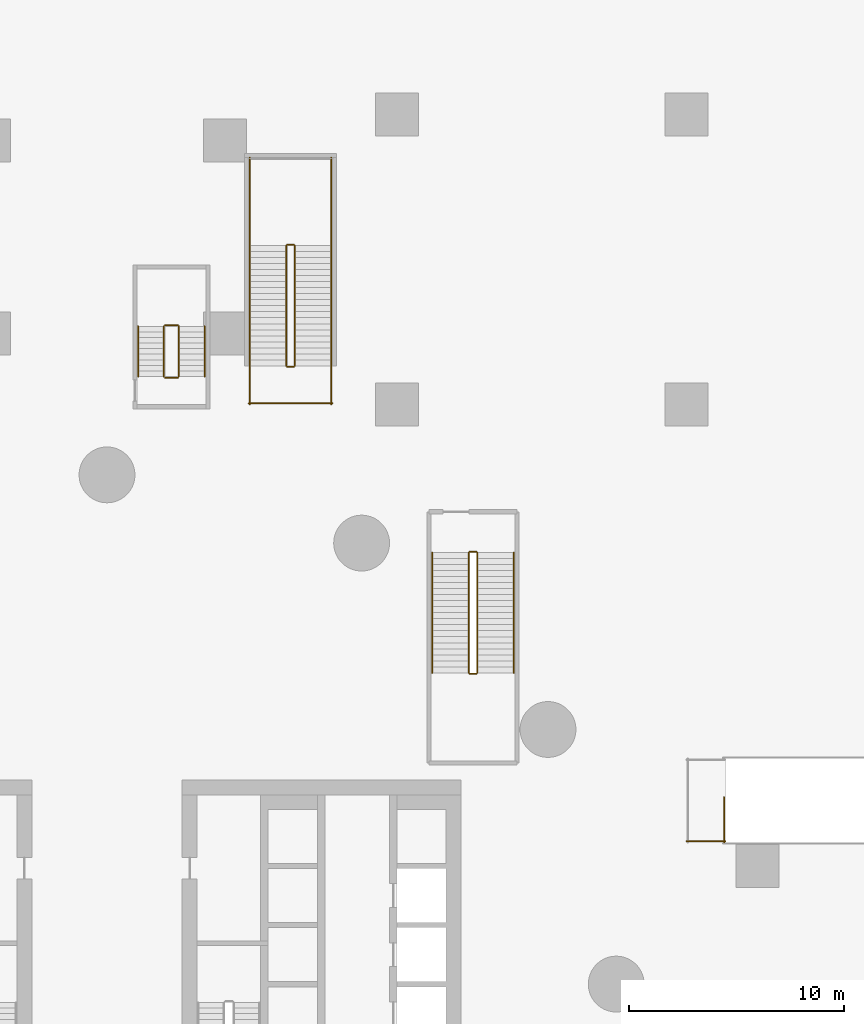
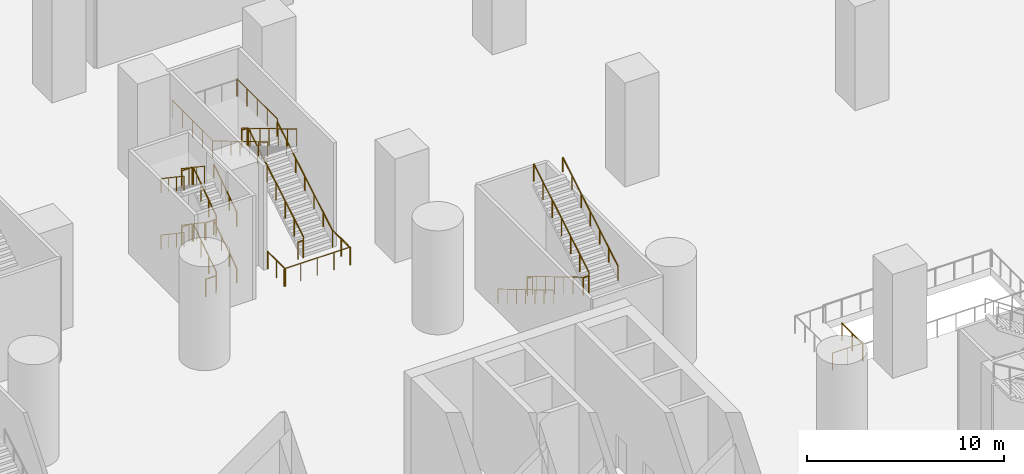
# One storey, part 32 of 37: 31 railings.
"""IFC4 building model written with IfcOpenShell, lengths in metres."""

import ifcopenshell
import ifcopenshell.guid

model = None  # the IFC model being written
_history = None  # IfcOwnerHistory: only IFC2X3 demands one
_inside = {}  # id of a spatial element -> (the spatial element, [elements in it])
_under = {}  # id of a project, library or spatial element -> (it, [spatial elements below it])
_declared = {}  # id of a project -> (the project, [libraries it declares])
_typed = {}  # id of a type object -> (the type object, [elements of that type])
_made_of = {}  # id of a material, layer set ... -> (it, [elements and type objects made of it])


def new_model(schema):
    """Start an empty IFC model of exactly this schema.

    Asked for "IFC4X3", IfcOpenShell would pick the latest addendum, in which some entities
    have other attributes; the version numbers below select the first issue.
    IFC2X3 requires an IfcOwnerHistory on every rooted entity: one is made here for all.
    """
    global model, _history
    if schema == "IFC4X3":
        model = ifcopenshell.file(schema_version=(4, 3, 0, 0))
    else:
        model = ifcopenshell.file(schema=schema)
    _inside.clear()
    _under.clear()
    _declared.clear()
    _typed.clear()
    _made_of.clear()
    _history = None
    if model.schema == "IFC2X3":
        org = make("IfcOrganization", Name="unknown")
        user = make(
            "IfcPersonAndOrganization",
            ThePerson=make("IfcPerson", FamilyName="unknown"),
            TheOrganization=org,
        )
        app = make(
            "IfcApplication",
            ApplicationDeveloper=org,
            Version="unknown",
            ApplicationFullName="unknown",
            ApplicationIdentifier="unknown",
        )
        _history = make(
            "IfcOwnerHistory",
            OwningUser=user,
            OwningApplication=app,
            ChangeAction="ADDED",
            CreationDate=0,
        )
    return model


def make(cls, **values):
    """One entity of the class cls with the attributes given. An attribute that is None is left unset."""
    return model.create_entity(
        cls, **{name: value for name, value in values.items() if value is not None}
    )


def rooted(cls, **values):
    """An entity with a GlobalId (a new one), such as an element, a storey or a relation."""
    return make(cls, GlobalId=ifcopenshell.guid.new(), OwnerHistory=_history, **values)


def si_unit(unit_type, name, prefix=None):
    """IfcSIUnit, for example si_unit("LENGTHUNIT", "METRE", prefix="MILLI")."""
    return make("IfcSIUnit", UnitType=unit_type, Prefix=prefix, Name=name)


def assignment(units):
    """IfcUnitAssignment: the units of a project."""
    return None if units is None else make("IfcUnitAssignment", Units=units)


def point(xyz):
    """IfcCartesianPoint."""
    return None if xyz is None else make("IfcCartesianPoint", Coordinates=xyz)


def direction(xyz):
    """IfcDirection."""
    return None if xyz is None else make("IfcDirection", DirectionRatios=xyz)


def frame(location, z_axis=None, x_axis=None):
    """IfcAxis2Placement3D, a coordinate frame: its origin and axes. An axis left out is left unset."""
    return make(
        "IfcAxis2Placement3D",
        Location=point(location),
        Axis=direction(z_axis),
        RefDirection=direction(x_axis),
    )


def frame_2d(location, x_axis=None):
    """IfcAxis2Placement2D, a coordinate frame in the plane: its origin and x axis."""
    return make(
        "IfcAxis2Placement2D", Location=point(location), RefDirection=direction(x_axis)
    )


def origin():
    """The frame at (0, 0, 0) with its axes left unset."""
    return frame((0.0, 0.0, 0.0))


def origin_2d():
    """The frame at (0, 0) in the plane with its x axis left unset."""
    return frame_2d((0.0, 0.0))


def place(relative_to, where):
    """IfcLocalPlacement: puts the frame where relative to a parent placement (None: the world)."""
    return make(
        "IfcLocalPlacement", PlacementRelTo=relative_to, RelativePlacement=where
    )


def context(
    kind, dimensions, precision=None, world=None, true_north=None, identifier=None
):
    """IfcGeometricRepresentationContext, for example the 3D "Model" context."""
    return make(
        "IfcGeometricRepresentationContext",
        ContextIdentifier=identifier,
        ContextType=kind,
        CoordinateSpaceDimension=dimensions,
        Precision=precision,
        WorldCoordinateSystem=world,
        TrueNorth=true_north,
    )


def subcontext(parent, identifier, kind, view, scale=None):
    """IfcGeometricRepresentationSubContext, for example "Body" below "Model"."""
    return make(
        "IfcGeometricRepresentationSubContext",
        ContextIdentifier=identifier,
        ContextType=kind,
        ParentContext=parent,
        TargetScale=scale,
        TargetView=view,
    )


def project(units=None, contexts=None):
    """IfcProject with its units and contexts."""
    return rooted(
        "IfcProject",
        Name="project",
        RepresentationContexts=contexts,
        UnitsInContext=assignment(units),
    )


def spatial(cls, under=None, at=None, **own):
    """A site, building, storey or space (cls), placed at a placement, below another one or the project."""
    s = rooted(cls, ObjectPlacement=at, **own)
    if under is not None:
        _under.setdefault(under.id(), (under, []))[1].append(s)
    return s


def profile(cls, at=None, kind="AREA", **sizes):
    """A parametric profile (cls). Its sizes go by their IFC names, for example OverallWidth=200.0."""
    return make(cls, ProfileType=kind, Position=at, **sizes)


def circle(**sizes):
    """IfcCircleProfileDef."""
    return profile("IfcCircleProfileDef", **sizes)


def extrude(swept, where, along, depth):
    """IfcExtrudedAreaSolid: the profile swept, set in the frame where, extruded along a direction by depth."""
    return make(
        "IfcExtrudedAreaSolid",
        SweptArea=swept,
        Position=where,
        ExtrudedDirection=direction(along),
        Depth=depth,
    )


def shape(context_of_items, identifier, shape_type, items):
    """IfcShapeRepresentation: the items that make up one representation, for example the "Body"."""
    return make(
        "IfcShapeRepresentation",
        ContextOfItems=context_of_items,
        RepresentationIdentifier=identifier,
        RepresentationType=shape_type,
        Items=items,
    )


def material(Name=None, Category=None):
    """IfcMaterial."""
    return make("IfcMaterial", Name=Name, Category=Category)


def made_of(thing, what):
    """Note that an element or type object is made of a material, layer set ...; save() writes the relation."""
    if what is not None:
        _made_of.setdefault(what.id(), (what, []))[1].append(thing)
    return thing


def type_object(cls, material=None, **own):
    """A type object (cls), such as IfcWallType, which elements share."""
    return made_of(rooted(cls, **own), material)


def element(
    cls,
    number,
    at=None,
    inside=None,
    cuts=None,
    type_object=None,
    material=None,
    context=None,
    identifier="Body",
    shape_type=None,
    held_by="IfcProductDefinitionShape",
    body=None,
    shapes=None,
    **own,
):
    """One element of the class cls, such as IfcWall. Its Tag is "e" and its number.

    at: its placement. inside: the storey or other place that contains it. cuts: it is an
    opening in that element (IfcRelVoidsElement). A single representation is given by context,
    identifier, shape_type and body (its items); several are given by shapes. held_by: the class
    of the entity that holds the representations. save() writes the other relations.
    """
    e = rooted(cls, Tag="e%d" % number, ObjectPlacement=at, **own)
    if body is not None:
        shapes = [shape(context, identifier, shape_type, body)]
    if shapes is not None:
        e.Representation = make(held_by, Representations=shapes)
    if inside is not None:
        _inside.setdefault(inside.id(), (inside, []))[1].append(e)
    if cuts is not None:
        rooted(
            "IfcRelVoidsElement", RelatingBuildingElement=cuts, RelatedOpeningElement=e
        )
    if type_object is not None:
        _typed.setdefault(type_object.id(), (type_object, []))[1].append(e)
    return made_of(e, material)


def aggregate(whole, parts):
    """IfcRelAggregates: a whole, such as a stair, and the parts it consists of."""
    return rooted("IfcRelAggregates", RelatingObject=whole, RelatedObjects=parts)


def save(model, path):
    """Write the relations noted so far, then the file.

    IfcRelAggregates (storeys below a building ...), IfcRelContainedInSpatialStructure (elements
    in a storey), IfcRelDefinesByType, IfcRelAssociatesMaterial and IfcRelDeclares: one each for
    every whole, place, type object, material and project.
    """
    for whole, parts in _under.values():
        aggregate(whole, parts)
    for where, things in _inside.values():
        rooted(
            "IfcRelContainedInSpatialStructure",
            RelatedElements=things,
            RelatingStructure=where,
        )
    for kind, things in _typed.values():
        rooted("IfcRelDefinesByType", RelatedObjects=things, RelatingType=kind)
    for what, things in _made_of.values():
        rooted("IfcRelAssociatesMaterial", RelatedObjects=things, RelatingMaterial=what)
    for by, libraries in _declared.values():
        rooted("IfcRelDeclares", RelatingContext=by, RelatedDefinitions=libraries)
    model.write(path)


model = new_model("IFC4")

# Units and contexts
model_context = context("Model", 3, precision=1e-05, world=origin(), true_north=direction((0.0, 1.0)))
body_context = subcontext(model_context, "Body", "Model", "MODEL_VIEW")
ifc_project = project(units=[si_unit("LENGTHUNIT", "METRE"), si_unit("AREAUNIT", "SQUARE_METRE"), si_unit("VOLUMEUNIT", "CUBIC_METRE"), si_unit("PLANEANGLEUNIT", "RADIAN"), si_unit("MASSUNIT", "GRAM", prefix="KILO")], contexts=[model_context])

# Site, building, storey
site_placement = place(None, origin())
site = spatial("IfcSite", under=ifc_project, at=site_placement, CompositionType="ELEMENT")
building_placement = place(site_placement, origin())
building = spatial("IfcBuilding", under=site, at=building_placement, Name="Tamarind Cross Interchange Tower", CompositionType="ELEMENT")
storey_placement = place(building_placement, frame((0.0, 0.0, -7.0)))
storey = spatial("IfcBuildingStorey", under=building, at=storey_placement, Name="B1", CompositionType="ELEMENT", Elevation=-7.0)

# Railings
ifc_material_1 = material(Name="Public stair guard")
railing_type_1 = type_object("IfcRailingType", Name="Public stair guard", PredefinedType="GUARDRAIL", material=ifc_material_1)
railing_1_placement = place(storey_placement, frame((8.75, 28.800048828125, 0.166748046875)))
element("IfcRailing", 1, at=railing_1_placement, inside=storey, type_object=railing_type_1, Name="B1 PS-N stair guard 1", PredefinedType="GUARDRAIL", context=body_context, shape_type="SweptSolid", body=[
    extrude(circle(Radius=0.02392578125, at=origin_2d()), frame((0.0, 0.0, 1.076171875), z_axis=(0.0, 0.859292492371, 0.511484518392), x_axis=(-1.0, 0.0, 0.0)), (0.0, 0.0, 1.0), 6.516845703125),
    extrude(circle(Radius=0.02099609375, at=origin_2d()), origin(), (0.0, 0.0, 1.0), 1.052001953125),
    extrude(circle(Radius=0.02099609375, at=origin_2d()), frame((0.0, 0.933349609375, 0.5556640625)), (0.0, 0.0, 1.0), 1.052001953125),
    extrude(circle(Radius=0.02099609375, at=origin_2d()), frame((0.0, 1.86669921875, 1.111083984375)), (0.0, 0.0, 1.0), 1.052001953125),
    extrude(circle(Radius=0.02099609375, at=origin_2d()), frame((0.0, 2.7998046875, 1.66650390625)), (0.0, 0.0, 1.0), 1.052001953125),
    extrude(circle(Radius=0.02099609375, at=origin_2d()), frame((0.0, 3.733154296875, 2.22216796875)), (0.0, 0.0, 1.0), 1.052001953125),
    extrude(circle(Radius=0.02099609375, at=origin_2d()), frame((0.0, 4.66650390625, 2.77783203125)), (0.0, 0.0, 1.0), 1.052001953125),
    extrude(circle(Radius=0.02099609375, at=origin_2d()), frame((0.0, 5.599853515625, 3.333251953125)), (0.0, 0.0, 1.0), 1.052001953125),
])
railing_2_placement = place(storey_placement, frame((8.699951171875, 34.449951171875, 3.5)))
element("IfcRailing", 2, at=railing_2_placement, inside=storey, type_object=railing_type_1, Name="B1 PS-N stair guard 2", PredefinedType="GUARDRAIL", context=body_context, shape_type="SweptSolid", body=[
    extrude(circle(Radius=0.02392578125, at=origin_2d()), frame((0.0, 0.0, 1.076171875), z_axis=(-1.0, 0.0, 0.0), x_axis=(0.0, -1.0, 0.0)), (0.0, 0.0, 1.0), 0.300048828125),
    extrude(circle(Radius=0.02099609375, at=origin_2d()), origin(), (0.0, 0.0, 1.0), 1.052001953125),
    extrude(circle(Radius=0.02099609375, at=origin_2d()), frame((-0.300048828125, 0.0, 0.0)), (0.0, 0.0, 1.0), 1.052001953125),
])
for number, where, name in (
    (3, (10.449951171875, 34.39990234375, 3.5), "B1 PS-N stair guard 3"),
    (4, (6.64990234375, 34.39990234375, 3.5), "B1 PS-N stair guard 4"),
):
    element("IfcRailing", number, at=place(storey_placement, frame(where)), inside=storey, type_object=railing_type_1, Name=name, PredefinedType="GUARDRAIL", context=body_context, shape_type="SweptSolid", body=[
        extrude(circle(Radius=0.02392578125, at=origin_2d()), frame((0.0, 0.0, 1.076171875), z_axis=(0.0, 1.0, 0.0), x_axis=(-1.0, 0.0, 0.0)), (0.0, 0.0, 1.0), 4.10009765625),
        extrude(circle(Radius=0.02099609375, at=origin_2d()), origin(), (0.0, 0.0, 1.0), 1.052001953125),
        extrude(circle(Radius=0.02099609375, at=origin_2d()), frame((0.0, 1.02490234375, 0.0)), (0.0, 0.0, 1.0), 1.052001953125),
        extrude(circle(Radius=0.02099609375, at=origin_2d()), frame((0.0, 2.050048828125, 0.0)), (0.0, 0.0, 1.0), 1.052001953125),
        extrude(circle(Radius=0.02099609375, at=origin_2d()), frame((0.0, 3.0751953125, 0.0)), (0.0, 0.0, 1.0), 1.052001953125),
        extrude(circle(Radius=0.02099609375, at=origin_2d()), frame((0.0, 4.10009765625, 0.0)), (0.0, 0.0, 1.0), 1.052001953125),
    ])
railing_3_placement = place(storey_placement, frame((8.35009765625, 34.39990234375, 3.666748046875)))
element("IfcRailing", 5, at=railing_3_placement, inside=storey, type_object=railing_type_1, Name="B1 PS-N stair guard 6", PredefinedType="GUARDRAIL", context=body_context, shape_type="SweptSolid", body=[
    extrude(circle(Radius=0.02392578125, at=origin_2d()), frame((0.0, 0.0, 1.076171875), z_axis=(0.0, -0.859292492371, 0.511484518392), x_axis=(1.0, 0.0, 0.0)), (0.0, 0.0, 1.0), 6.516845703125),
    extrude(circle(Radius=0.02099609375, at=origin_2d()), origin(), (0.0, 0.0, 1.0), 1.052001953125),
    extrude(circle(Radius=0.02099609375, at=origin_2d()), frame((0.0, -0.933349609375, 0.5556640625)), (0.0, 0.0, 1.0), 1.052001953125),
    extrude(circle(Radius=0.02099609375, at=origin_2d()), frame((0.0, -1.86669921875, 1.111083984375)), (0.0, 0.0, 1.0), 1.052001953125),
    extrude(circle(Radius=0.02099609375, at=origin_2d()), frame((0.0, -2.7998046875, 1.66650390625)), (0.0, 0.0, 1.0), 1.052001953125),
    extrude(circle(Radius=0.02099609375, at=origin_2d()), frame((0.0, -3.733154296875, 2.22216796875)), (0.0, 0.0, 1.0), 1.052001953125),
    extrude(circle(Radius=0.02099609375, at=origin_2d()), frame((0.0, -4.66650390625, 2.77783203125)), (0.0, 0.0, 1.0), 1.052001953125),
    extrude(circle(Radius=0.02099609375, at=origin_2d()), frame((0.0, -5.599853515625, 3.333251953125)), (0.0, 0.0, 1.0), 1.052001953125),
])
railing_4_placement = place(storey_placement, frame((8.699951171875, 28.75, 0.0)))
element("IfcRailing", 6, at=railing_4_placement, inside=storey, type_object=railing_type_1, Name="B1 PS-N stair guard 7", PredefinedType="GUARDRAIL", context=body_context, shape_type="SweptSolid", body=[
    extrude(circle(Radius=0.02392578125, at=origin_2d()), frame((0.0, 0.0, 1.076171875), z_axis=(-1.0, 0.0, 0.0), x_axis=(0.0, -1.0, 0.0)), (0.0, 0.0, 1.0), 0.300048828125),
    extrude(circle(Radius=0.02099609375, at=origin_2d()), origin(), (0.0, 0.0, 1.0), 1.052001953125),
    extrude(circle(Radius=0.02099609375, at=origin_2d()), frame((-0.300048828125, 0.0, 0.0)), (0.0, 0.0, 1.0), 1.052001953125),
])
for number, where, name in (
    (7, (10.449951171875, 27.0, 0.0), "B1 PS-N stair guard 8"),
    (8, (6.64990234375, 27.0, 0.0), "B1 PS-N stair guard 9"),
):
    element("IfcRailing", number, at=place(storey_placement, frame(where)), inside=storey, type_object=railing_type_1, Name=name, PredefinedType="GUARDRAIL", context=body_context, shape_type="SweptSolid", body=[
        extrude(circle(Radius=0.02392578125, at=origin_2d()), frame((0.0, 0.0, 1.076171875), z_axis=(0.0, 1.0, 0.0), x_axis=(-1.0, 0.0, 0.0)), (0.0, 0.0, 1.0), 1.800048828125),
        extrude(circle(Radius=0.02099609375, at=origin_2d()), origin(), (0.0, 0.0, 1.0), 1.052001953125),
        extrude(circle(Radius=0.02099609375, at=origin_2d()), frame((0.0, 0.89990234375, 0.0)), (0.0, 0.0, 1.0), 1.052001953125),
        extrude(circle(Radius=0.02099609375, at=origin_2d()), frame((0.0, 1.800048828125, 0.0)), (0.0, 0.0, 1.0), 1.052001953125),
    ])
railing_5_placement = place(storey_placement, frame((10.5, 27.050048828125, 0.0)))
element("IfcRailing", 9, at=railing_5_placement, inside=storey, type_object=railing_type_1, Name="B1 PS-N stair guard 10", PredefinedType="GUARDRAIL", context=body_context, shape_type="SweptSolid", body=[
    extrude(circle(Radius=0.02392578125, at=origin_2d()), frame((0.0, 0.0, 1.076171875), z_axis=(-1.0, 0.0, 0.0), x_axis=(0.0, -1.0, 0.0)), (0.0, 0.0, 1.0), 3.89990234375),
    extrude(circle(Radius=0.02099609375, at=origin_2d()), origin(), (0.0, 0.0, 1.0), 1.052001953125),
    extrude(circle(Radius=0.02099609375, at=origin_2d()), frame((-0.97509765625, 0.0, 0.0)), (0.0, 0.0, 1.0), 1.052001953125),
    extrude(circle(Radius=0.02099609375, at=origin_2d()), frame((-1.949951171875, 0.0, 0.0)), (0.0, 0.0, 1.0), 1.052001953125),
    extrude(circle(Radius=0.02099609375, at=origin_2d()), frame((-2.9248046875, 0.0, 0.0)), (0.0, 0.0, 1.0), 1.052001953125),
    extrude(circle(Radius=0.02099609375, at=origin_2d()), frame((-3.89990234375, 0.0, 0.0)), (0.0, 0.0, 1.0), 1.052001953125),
])
railing_6_placement = place(storey_placement, frame((28.75, 6.60009765625, 0.0)))
element("IfcRailing", 10, at=railing_6_placement, inside=storey, type_object=railing_type_1, Name="B1 MS-E top well guard 1", PredefinedType="GUARDRAIL", context=body_context, shape_type="SweptSolid", body=[
    extrude(circle(Radius=0.02392578125, at=origin_2d()), frame((0.0, 0.0, 1.076171875), z_axis=(0.0, 1.0, 0.0), x_axis=(-1.0, 0.0, 0.0)), (0.0, 0.0, 1.0), 2.099853515625),
    extrude(circle(Radius=0.02099609375, at=origin_2d()), origin(), (0.0, 0.0, 1.0), 1.052001953125),
    extrude(circle(Radius=0.02099609375, at=origin_2d()), frame((0.0, 1.0498046875, 0.0)), (0.0, 0.0, 1.0), 1.052001953125),
    extrude(circle(Radius=0.02099609375, at=origin_2d()), frame((0.0, 2.099853515625, 0.0)), (0.0, 0.0, 1.0), 1.052001953125),
])
railing_7_placement = place(storey_placement, frame((27.0, 6.64990234375, 0.0)))
element("IfcRailing", 11, at=railing_7_placement, inside=storey, type_object=railing_type_1, Name="B1 MS-E top well guard 5", PredefinedType="GUARDRAIL", context=body_context, shape_type="SweptSolid", body=[
    extrude(circle(Radius=0.02392578125, at=origin_2d()), frame((0.0, 0.0, 1.076171875), z_axis=(1.0, 0.0, 0.0), x_axis=(0.0, 1.0, 0.0)), (0.0, 0.0, 1.0), 1.800048828125),
    extrude(circle(Radius=0.02099609375, at=origin_2d()), origin(), (0.0, 0.0, 1.0), 1.052001953125),
    extrude(circle(Radius=0.02099609375, at=origin_2d()), frame((0.89990234375, 0.0, 0.0)), (0.0, 0.0, 1.0), 1.052001953125),
    extrude(circle(Radius=0.02099609375, at=origin_2d()), frame((1.800048828125, 0.0, 0.0)), (0.0, 0.0, 1.0), 1.052001953125),
])
railing_8_placement = place(storey_placement, frame((16.85009765625, 20.10009765625, 0.166748046875)))
element("IfcRailing", 12, at=railing_8_placement, inside=storey, type_object=railing_type_1, Name="B1 XS-E stair guard 1", PredefinedType="GUARDRAIL", context=body_context, shape_type="SweptSolid", body=[
    extrude(circle(Radius=0.02392578125, at=origin_2d()), frame((0.0, 0.0, 1.076171875), z_axis=(0.0, -0.859302292876, 0.511468053214), x_axis=(1.0, 0.0, 0.0)), (0.0, 0.0, 1.0), 6.51708984375),
    extrude(circle(Radius=0.02099609375, at=origin_2d()), origin(), (0.0, 0.0, 1.0), 1.052001953125),
    extrude(circle(Radius=0.02099609375, at=origin_2d()), frame((0.0, -0.933349609375, 0.5556640625)), (0.0, 0.0, 1.0), 1.052001953125),
    extrude(circle(Radius=0.02099609375, at=origin_2d()), frame((0.0, -1.86669921875, 1.111083984375)), (0.0, 0.0, 1.0), 1.052001953125),
    extrude(circle(Radius=0.02099609375, at=origin_2d()), frame((0.0, -2.800048828125, 1.66650390625)), (0.0, 0.0, 1.0), 1.052001953125),
    extrude(circle(Radius=0.02099609375, at=origin_2d()), frame((0.0, -3.7333984375, 2.22216796875)), (0.0, 0.0, 1.0), 1.052001953125),
    extrude(circle(Radius=0.02099609375, at=origin_2d()), frame((0.0, -4.666748046875, 2.77783203125)), (0.0, 0.0, 1.0), 1.052001953125),
    extrude(circle(Radius=0.02099609375, at=origin_2d()), frame((0.0, -5.60009765625, 3.333251953125)), (0.0, 0.0, 1.0), 1.052001953125),
])
railing_9_placement = place(storey_placement, frame((16.89990234375, 14.449951171875, 3.5)))
element("IfcRailing", 13, at=railing_9_placement, inside=storey, type_object=railing_type_1, Name="B1 XS-E stair guard 2", PredefinedType="GUARDRAIL", context=body_context, shape_type="SweptSolid", body=[
    extrude(circle(Radius=0.02392578125, at=origin_2d()), frame((0.0, 0.0, 1.076171875), z_axis=(1.0, 0.0, 0.0), x_axis=(0.0, 1.0, 0.0)), (0.0, 0.0, 1.0), 0.300048828125),
    extrude(circle(Radius=0.02099609375, at=origin_2d()), origin(), (0.0, 0.0, 1.0), 1.052001953125),
    extrude(circle(Radius=0.02099609375, at=origin_2d()), frame((0.300048828125, 0.0, 0.0)), (0.0, 0.0, 1.0), 1.052001953125),
])
railing_10_placement = place(storey_placement, frame((17.25, 14.5, 3.666748046875)))
element("IfcRailing", 14, at=railing_10_placement, inside=storey, type_object=railing_type_1, Name="B1 XS-E stair guard 3", PredefinedType="GUARDRAIL", context=body_context, shape_type="SweptSolid", body=[
    extrude(circle(Radius=0.02392578125, at=origin_2d()), frame((0.0, 0.0, 1.076171875), z_axis=(0.0, 0.859302292876, 0.511468053214), x_axis=(-1.0, 0.0, 0.0)), (0.0, 0.0, 1.0), 6.51708984375),
    extrude(circle(Radius=0.02099609375, at=origin_2d()), origin(), (0.0, 0.0, 1.0), 1.052001953125),
    extrude(circle(Radius=0.02099609375, at=origin_2d()), frame((0.0, 0.933349609375, 0.5556640625)), (0.0, 0.0, 1.0), 1.052001953125),
    extrude(circle(Radius=0.02099609375, at=origin_2d()), frame((0.0, 1.86669921875, 1.111083984375)), (0.0, 0.0, 1.0), 1.052001953125),
    extrude(circle(Radius=0.02099609375, at=origin_2d()), frame((0.0, 2.800048828125, 1.66650390625)), (0.0, 0.0, 1.0), 1.052001953125),
    extrude(circle(Radius=0.02099609375, at=origin_2d()), frame((0.0, 3.7333984375, 2.22216796875)), (0.0, 0.0, 1.0), 1.052001953125),
    extrude(circle(Radius=0.02099609375, at=origin_2d()), frame((0.0, 4.666748046875, 2.77783203125)), (0.0, 0.0, 1.0), 1.052001953125),
    extrude(circle(Radius=0.02099609375, at=origin_2d()), frame((0.0, 5.60009765625, 3.333251953125)), (0.0, 0.0, 1.0), 1.052001953125),
])
railing_11_placement = place(storey_placement, frame((16.89990234375, 20.14990234375, 0.0)))
element("IfcRailing", 15, at=railing_11_placement, inside=storey, type_object=railing_type_1, Name="B1 XS-E stair guard 4", PredefinedType="GUARDRAIL", context=body_context, shape_type="SweptSolid", body=[
    extrude(circle(Radius=0.02392578125, at=origin_2d()), frame((0.0, 0.0, 1.076171875), z_axis=(1.0, 0.0, 0.0), x_axis=(0.0, 1.0, 0.0)), (0.0, 0.0, 1.0), 0.300048828125),
    extrude(circle(Radius=0.02099609375, at=origin_2d()), origin(), (0.0, 0.0, 1.0), 1.052001953125),
    extrude(circle(Radius=0.02099609375, at=origin_2d()), frame((0.300048828125, 0.0, 0.0)), (0.0, 0.0, 1.0), 1.052001953125),
])
ifc_material_2 = material(Name="Public stair handrail")
railing_type_2 = type_object("IfcRailingType", Name="Public stair handrail", PredefinedType="HANDRAIL", material=ifc_material_2)
railing_12_placement = place(storey_placement, frame((10.449951171875, 28.800048828125, 0.166748046875)))
element("IfcRailing", 16, at=railing_12_placement, inside=storey, type_object=railing_type_2, Name="B1 PS-N stair handrail 1", PredefinedType="HANDRAIL", context=body_context, shape_type="SweptSolid", body=[
    extrude(circle(Radius=0.02392578125, at=origin_2d()), frame((0.0, 0.0, 0.8759765625), z_axis=(0.0, 0.859292492371, 0.511484518392), x_axis=(-1.0, 0.0, 0.0)), (0.0, 0.0, 1.0), 6.516845703125),
    extrude(circle(Radius=0.02099609375, at=origin_2d()), origin(), (0.0, 0.0, 1.0), 0.851806640625),
    extrude(circle(Radius=0.02099609375, at=origin_2d()), frame((0.0, 0.933349609375, 0.5556640625)), (0.0, 0.0, 1.0), 0.851806640625),
    extrude(circle(Radius=0.02099609375, at=origin_2d()), frame((0.0, 1.86669921875, 1.111083984375)), (0.0, 0.0, 1.0), 0.851806640625),
    extrude(circle(Radius=0.02099609375, at=origin_2d()), frame((0.0, 2.7998046875, 1.66650390625)), (0.0, 0.0, 1.0), 0.851806640625),
    extrude(circle(Radius=0.02099609375, at=origin_2d()), frame((0.0, 3.733154296875, 2.22216796875)), (0.0, 0.0, 1.0), 0.851806640625),
    extrude(circle(Radius=0.02099609375, at=origin_2d()), frame((0.0, 4.66650390625, 2.77783203125)), (0.0, 0.0, 1.0), 0.851806640625),
    extrude(circle(Radius=0.02099609375, at=origin_2d()), frame((0.0, 5.599853515625, 3.333251953125)), (0.0, 0.0, 1.0), 0.851806640625),
])
railing_13_placement = place(storey_placement, frame((6.64990234375, 34.39990234375, 3.666748046875)))
element("IfcRailing", 17, at=railing_13_placement, inside=storey, type_object=railing_type_2, Name="B1 PS-N stair handrail 2", PredefinedType="HANDRAIL", context=body_context, shape_type="SweptSolid", body=[
    extrude(circle(Radius=0.02392578125, at=origin_2d()), frame((0.0, 0.0, 0.8759765625), z_axis=(0.0, -0.859292492371, 0.511484518392), x_axis=(1.0, 0.0, 0.0)), (0.0, 0.0, 1.0), 6.516845703125),
    extrude(circle(Radius=0.02099609375, at=origin_2d()), origin(), (0.0, 0.0, 1.0), 0.851806640625),
    extrude(circle(Radius=0.02099609375, at=origin_2d()), frame((0.0, -0.933349609375, 0.5556640625)), (0.0, 0.0, 1.0), 0.851806640625),
    extrude(circle(Radius=0.02099609375, at=origin_2d()), frame((0.0, -1.86669921875, 1.111083984375)), (0.0, 0.0, 1.0), 0.851806640625),
    extrude(circle(Radius=0.02099609375, at=origin_2d()), frame((0.0, -2.7998046875, 1.66650390625)), (0.0, 0.0, 1.0), 0.851806640625),
    extrude(circle(Radius=0.02099609375, at=origin_2d()), frame((0.0, -3.733154296875, 2.22216796875)), (0.0, 0.0, 1.0), 0.851806640625),
    extrude(circle(Radius=0.02099609375, at=origin_2d()), frame((0.0, -4.66650390625, 2.77783203125)), (0.0, 0.0, 1.0), 0.851806640625),
    extrude(circle(Radius=0.02099609375, at=origin_2d()), frame((0.0, -5.599853515625, 3.333251953125)), (0.0, 0.0, 1.0), 0.851806640625),
])
railing_14_placement = place(storey_placement, frame((15.14990234375, 20.10009765625, 0.166748046875)))
element("IfcRailing", 18, at=railing_14_placement, inside=storey, type_object=railing_type_2, Name="B1 XS-E stair handrail 1", PredefinedType="HANDRAIL", context=body_context, shape_type="SweptSolid", body=[
    extrude(circle(Radius=0.02392578125, at=origin_2d()), frame((0.0, 0.0, 0.8759765625), z_axis=(0.0, -0.859302292876, 0.511468053214), x_axis=(1.0, 0.0, 0.0)), (0.0, 0.0, 1.0), 6.51708984375),
    extrude(circle(Radius=0.02099609375, at=origin_2d()), origin(), (0.0, 0.0, 1.0), 0.851806640625),
    extrude(circle(Radius=0.02099609375, at=origin_2d()), frame((0.0, -0.933349609375, 0.5556640625)), (0.0, 0.0, 1.0), 0.851806640625),
    extrude(circle(Radius=0.02099609375, at=origin_2d()), frame((0.0, -1.86669921875, 1.111083984375)), (0.0, 0.0, 1.0), 0.851806640625),
    extrude(circle(Radius=0.02099609375, at=origin_2d()), frame((0.0, -2.800048828125, 1.66650390625)), (0.0, 0.0, 1.0), 0.851806640625),
    extrude(circle(Radius=0.02099609375, at=origin_2d()), frame((0.0, -3.7333984375, 2.22216796875)), (0.0, 0.0, 1.0), 0.851806640625),
    extrude(circle(Radius=0.02099609375, at=origin_2d()), frame((0.0, -4.666748046875, 2.77783203125)), (0.0, 0.0, 1.0), 0.851806640625),
    extrude(circle(Radius=0.02099609375, at=origin_2d()), frame((0.0, -5.60009765625, 3.333251953125)), (0.0, 0.0, 1.0), 0.851806640625),
])
railing_15_placement = place(storey_placement, frame((18.949951171875, 14.5, 3.666748046875)))
element("IfcRailing", 19, at=railing_15_placement, inside=storey, type_object=railing_type_2, Name="B1 XS-E stair handrail 2", PredefinedType="HANDRAIL", context=body_context, shape_type="SweptSolid", body=[
    extrude(circle(Radius=0.02392578125, at=origin_2d()), frame((0.0, 0.0, 0.8759765625), z_axis=(0.0, 0.859302292876, 0.511468053214), x_axis=(-1.0, 0.0, 0.0)), (0.0, 0.0, 1.0), 6.51708984375),
    extrude(circle(Radius=0.02099609375, at=origin_2d()), origin(), (0.0, 0.0, 1.0), 0.851806640625),
    extrude(circle(Radius=0.02099609375, at=origin_2d()), frame((0.0, 0.933349609375, 0.5556640625)), (0.0, 0.0, 1.0), 0.851806640625),
    extrude(circle(Radius=0.02099609375, at=origin_2d()), frame((0.0, 1.86669921875, 1.111083984375)), (0.0, 0.0, 1.0), 0.851806640625),
    extrude(circle(Radius=0.02099609375, at=origin_2d()), frame((0.0, 2.800048828125, 1.66650390625)), (0.0, 0.0, 1.0), 0.851806640625),
    extrude(circle(Radius=0.02099609375, at=origin_2d()), frame((0.0, 3.7333984375, 2.22216796875)), (0.0, 0.0, 1.0), 0.851806640625),
    extrude(circle(Radius=0.02099609375, at=origin_2d()), frame((0.0, 4.666748046875, 2.77783203125)), (0.0, 0.0, 1.0), 0.851806640625),
    extrude(circle(Radius=0.02099609375, at=origin_2d()), frame((0.0, 5.60009765625, 3.333251953125)), (0.0, 0.0, 1.0), 0.851806640625),
])
ifc_material_3 = material(Name="Stair guard")
railing_type_3 = type_object("IfcRailingType", Name="Stair guard", PredefinedType="GUARDRAIL", material=ifc_material_3)
railing_16_placement = place(storey_placement, frame((3.35009765625, 28.300048828125, 0.175048828125)))
element("IfcRailing", 20, at=railing_16_placement, inside=storey, type_object=railing_type_3, Name="B1 ST4 stair guard 1", PredefinedType="GUARDRAIL", context=body_context, shape_type="SweptSolid", body=[
    extrude(circle(Radius=0.02392578125, at=origin_2d()), frame((0.0, 0.0, 1.076171875), z_axis=(0.0, 0.829578494604, 0.558390115681), x_axis=(-1.0, 0.0, 0.0)), (0.0, 0.0, 1.0), 2.820556640625),
    extrude(circle(Radius=0.02099609375, at=origin_2d()), origin(), (0.0, 0.0, 1.0), 1.052001953125),
    extrude(circle(Radius=0.02099609375, at=origin_2d()), frame((0.0, 0.780029296875, 0.52490234375)), (0.0, 0.0, 1.0), 1.052001953125),
    extrude(circle(Radius=0.02099609375, at=origin_2d()), frame((0.0, 1.559814453125, 1.050048828125)), (0.0, 0.0, 1.0), 1.052001953125),
    extrude(circle(Radius=0.02099609375, at=origin_2d()), frame((0.0, 2.33984375, 1.574951171875)), (0.0, 0.0, 1.0), 1.052001953125),
])
railing_17_placement = place(storey_placement, frame((3.300048828125, 30.68994140625, 1.75)))
element("IfcRailing", 21, at=railing_17_placement, inside=storey, type_object=railing_type_3, Name="B1 ST4 stair guard 2", PredefinedType="GUARDRAIL", context=body_context, shape_type="SweptSolid", body=[
    extrude(circle(Radius=0.02392578125, at=origin_2d()), frame((0.0, 0.0, 1.076171875), z_axis=(-1.0, 0.0, 0.0), x_axis=(0.0, -1.0, 0.0)), (0.0, 0.0, 1.0), 0.60009765625),
    extrude(circle(Radius=0.02099609375, at=origin_2d()), origin(), (0.0, 0.0, 1.0), 1.052001953125),
    extrude(circle(Radius=0.02099609375, at=origin_2d()), frame((-0.60009765625, 0.0, 0.0)), (0.0, 0.0, 1.0), 1.052001953125),
])
railing_18_placement = place(storey_placement, frame((2.64990234375, 30.639892578125, 1.925048828125)))
element("IfcRailing", 22, at=railing_18_placement, inside=storey, type_object=railing_type_3, Name="B1 ST4 stair guard 3", PredefinedType="GUARDRAIL", context=body_context, shape_type="SweptSolid", body=[
    extrude(circle(Radius=0.02392578125, at=origin_2d()), frame((0.0, 0.0, 1.076171875), z_axis=(0.0, -0.829578494604, 0.558390115681), x_axis=(1.0, 0.0, 0.0)), (0.0, 0.0, 1.0), 2.820556640625),
    extrude(circle(Radius=0.02099609375, at=origin_2d()), origin(), (0.0, 0.0, 1.0), 1.052001953125),
    extrude(circle(Radius=0.02099609375, at=origin_2d()), frame((0.0, -0.780029296875, 0.52490234375)), (0.0, 0.0, 1.0), 1.052001953125),
    extrude(circle(Radius=0.02099609375, at=origin_2d()), frame((0.0, -1.559814453125, 1.050048828125)), (0.0, 0.0, 1.0), 1.052001953125),
    extrude(circle(Radius=0.02099609375, at=origin_2d()), frame((0.0, -2.33984375, 1.574951171875)), (0.0, 0.0, 1.0), 1.052001953125),
])
railing_19_placement = place(storey_placement, frame((3.300048828125, 28.25, 3.5)))
element("IfcRailing", 23, at=railing_19_placement, inside=storey, type_object=railing_type_3, Name="B1 ST4 stair guard 4", PredefinedType="GUARDRAIL", context=body_context, shape_type="SweptSolid", body=[
    extrude(circle(Radius=0.02392578125, at=origin_2d()), frame((0.0, 0.0, 1.076171875), z_axis=(-1.0, 0.0, 0.0), x_axis=(0.0, -1.0, 0.0)), (0.0, 0.0, 1.0), 0.60009765625),
    extrude(circle(Radius=0.02099609375, at=origin_2d()), origin(), (0.0, 0.0, 1.0), 1.052001953125),
    extrude(circle(Radius=0.02099609375, at=origin_2d()), frame((-0.60009765625, 0.0, 0.0)), (0.0, 0.0, 1.0), 1.052001953125),
])
railing_20_placement = place(storey_placement, frame((3.35009765625, 28.300048828125, 3.675048828125)))
element("IfcRailing", 24, at=railing_20_placement, inside=storey, type_object=railing_type_3, Name="B1 ST4 stair guard 5", PredefinedType="GUARDRAIL", context=body_context, shape_type="SweptSolid", body=[
    extrude(circle(Radius=0.02392578125, at=origin_2d()), frame((0.0, 0.0, 1.076171875), z_axis=(0.0, 0.829578494604, 0.558390115681), x_axis=(-1.0, 0.0, 0.0)), (0.0, 0.0, 1.0), 2.820556640625),
    extrude(circle(Radius=0.02099609375, at=origin_2d()), origin(), (0.0, 0.0, 1.0), 1.052001953125),
    extrude(circle(Radius=0.02099609375, at=origin_2d()), frame((0.0, 0.780029296875, 0.52490234375)), (0.0, 0.0, 1.0), 1.052001953125),
    extrude(circle(Radius=0.02099609375, at=origin_2d()), frame((0.0, 1.559814453125, 1.050048828125)), (0.0, 0.0, 1.0), 1.052001953125),
    extrude(circle(Radius=0.02099609375, at=origin_2d()), frame((0.0, 2.33984375, 1.574951171875)), (0.0, 0.0, 1.0), 1.052001953125),
])
railing_21_placement = place(storey_placement, frame((3.300048828125, 30.68994140625, 5.25)))
element("IfcRailing", 25, at=railing_21_placement, inside=storey, type_object=railing_type_3, Name="B1 ST4 stair guard 6", PredefinedType="GUARDRAIL", context=body_context, shape_type="SweptSolid", body=[
    extrude(circle(Radius=0.02392578125, at=origin_2d()), frame((0.0, 0.0, 1.076171875), z_axis=(-1.0, 0.0, 0.0), x_axis=(0.0, -1.0, 0.0)), (0.0, 0.0, 1.0), 0.60009765625),
    extrude(circle(Radius=0.02099609375, at=origin_2d()), origin(), (0.0, 0.0, 1.0), 1.052001953125),
    extrude(circle(Radius=0.02099609375, at=origin_2d()), frame((-0.60009765625, 0.0, 0.0)), (0.0, 0.0, 1.0), 1.052001953125),
])
railing_22_placement = place(storey_placement, frame((2.64990234375, 30.639892578125, 5.425048828125)))
element("IfcRailing", 26, at=railing_22_placement, inside=storey, type_object=railing_type_3, Name="B1 ST4 stair guard 7", PredefinedType="GUARDRAIL", context=body_context, shape_type="SweptSolid", body=[
    extrude(circle(Radius=0.02392578125, at=origin_2d()), frame((0.0, 0.0, 1.076171875), z_axis=(0.0, -0.829578494604, 0.558390115681), x_axis=(1.0, 0.0, 0.0)), (0.0, 0.0, 1.0), 2.820556640625),
    extrude(circle(Radius=0.02099609375, at=origin_2d()), origin(), (0.0, 0.0, 1.0), 1.052001953125),
    extrude(circle(Radius=0.02099609375, at=origin_2d()), frame((0.0, -0.780029296875, 0.52490234375)), (0.0, 0.0, 1.0), 1.052001953125),
    extrude(circle(Radius=0.02099609375, at=origin_2d()), frame((0.0, -1.559814453125, 1.050048828125)), (0.0, 0.0, 1.0), 1.052001953125),
    extrude(circle(Radius=0.02099609375, at=origin_2d()), frame((0.0, -2.33984375, 1.574951171875)), (0.0, 0.0, 1.0), 1.052001953125),
])
railing_23_placement = place(storey_placement, frame((3.300048828125, 28.25, 0.0)))
element("IfcRailing", 27, at=railing_23_placement, inside=storey, type_object=railing_type_3, Name="B1 ST4 stair guard 8", PredefinedType="GUARDRAIL", context=body_context, shape_type="SweptSolid", body=[
    extrude(circle(Radius=0.02392578125, at=origin_2d()), frame((0.0, 0.0, 1.076171875), z_axis=(-1.0, 0.0, 0.0), x_axis=(0.0, -1.0, 0.0)), (0.0, 0.0, 1.0), 0.60009765625),
    extrude(circle(Radius=0.02099609375, at=origin_2d()), origin(), (0.0, 0.0, 1.0), 1.052001953125),
    extrude(circle(Radius=0.02099609375, at=origin_2d()), frame((-0.60009765625, 0.0, 0.0)), (0.0, 0.0, 1.0), 1.052001953125),
])
ifc_material_4 = material(Name="Stair handrail")
railing_type_4 = type_object("IfcRailingType", Name="Stair handrail", PredefinedType="HANDRAIL", material=ifc_material_4)
railing_24_placement = place(storey_placement, frame((4.550048828125, 28.300048828125, 0.175048828125)))
element("IfcRailing", 28, at=railing_24_placement, inside=storey, type_object=railing_type_4, Name="B1 ST4 stair handrail 1", PredefinedType="HANDRAIL", context=body_context, shape_type="SweptSolid", body=[
    extrude(circle(Radius=0.02392578125, at=origin_2d()), frame((0.0, 0.0, 0.8759765625), z_axis=(0.0, 0.829578494604, 0.558390115681), x_axis=(-1.0, 0.0, 0.0)), (0.0, 0.0, 1.0), 2.820556640625),
    extrude(circle(Radius=0.02099609375, at=origin_2d()), origin(), (0.0, 0.0, 1.0), 0.851806640625),
    extrude(circle(Radius=0.02099609375, at=origin_2d()), frame((0.0, 0.780029296875, 0.52490234375)), (0.0, 0.0, 1.0), 0.851806640625),
    extrude(circle(Radius=0.02099609375, at=origin_2d()), frame((0.0, 1.559814453125, 1.050048828125)), (0.0, 0.0, 1.0), 0.851806640625),
    extrude(circle(Radius=0.02099609375, at=origin_2d()), frame((0.0, 2.33984375, 1.574951171875)), (0.0, 0.0, 1.0), 0.851806640625),
])
railing_25_placement = place(storey_placement, frame((1.449951171875, 30.639892578125, 1.925048828125)))
element("IfcRailing", 29, at=railing_25_placement, inside=storey, type_object=railing_type_4, Name="B1 ST4 stair handrail 2", PredefinedType="HANDRAIL", context=body_context, shape_type="SweptSolid", body=[
    extrude(circle(Radius=0.02392578125, at=origin_2d()), frame((0.0, 0.0, 0.8759765625), z_axis=(0.0, -0.829578494604, 0.558390115681), x_axis=(1.0, 0.0, 0.0)), (0.0, 0.0, 1.0), 2.820556640625),
    extrude(circle(Radius=0.02099609375, at=origin_2d()), origin(), (0.0, 0.0, 1.0), 0.851806640625),
    extrude(circle(Radius=0.02099609375, at=origin_2d()), frame((0.0, -0.780029296875, 0.52490234375)), (0.0, 0.0, 1.0), 0.851806640625),
    extrude(circle(Radius=0.02099609375, at=origin_2d()), frame((0.0, -1.559814453125, 1.050048828125)), (0.0, 0.0, 1.0), 0.851806640625),
    extrude(circle(Radius=0.02099609375, at=origin_2d()), frame((0.0, -2.33984375, 1.574951171875)), (0.0, 0.0, 1.0), 0.851806640625),
])
railing_26_placement = place(storey_placement, frame((4.550048828125, 28.300048828125, 3.675048828125)))
element("IfcRailing", 30, at=railing_26_placement, inside=storey, type_object=railing_type_4, Name="B1 ST4 stair handrail 3", PredefinedType="HANDRAIL", context=body_context, shape_type="SweptSolid", body=[
    extrude(circle(Radius=0.02392578125, at=origin_2d()), frame((0.0, 0.0, 0.8759765625), z_axis=(0.0, 0.829578494604, 0.558390115681), x_axis=(-1.0, 0.0, 0.0)), (0.0, 0.0, 1.0), 2.820556640625),
    extrude(circle(Radius=0.02099609375, at=origin_2d()), origin(), (0.0, 0.0, 1.0), 0.851806640625),
    extrude(circle(Radius=0.02099609375, at=origin_2d()), frame((0.0, 0.780029296875, 0.52490234375)), (0.0, 0.0, 1.0), 0.851806640625),
    extrude(circle(Radius=0.02099609375, at=origin_2d()), frame((0.0, 1.559814453125, 1.050048828125)), (0.0, 0.0, 1.0), 0.851806640625),
    extrude(circle(Radius=0.02099609375, at=origin_2d()), frame((0.0, 2.33984375, 1.574951171875)), (0.0, 0.0, 1.0), 0.851806640625),
])
railing_27_placement = place(storey_placement, frame((1.449951171875, 30.639892578125, 5.425048828125)))
element("IfcRailing", 31, at=railing_27_placement, inside=storey, type_object=railing_type_4, Name="B1 ST4 stair handrail 4", PredefinedType="HANDRAIL", context=body_context, shape_type="SweptSolid", body=[
    extrude(circle(Radius=0.02392578125, at=origin_2d()), frame((0.0, 0.0, 0.8759765625), z_axis=(0.0, -0.829578494604, 0.558390115681), x_axis=(1.0, 0.0, 0.0)), (0.0, 0.0, 1.0), 2.820556640625),
    extrude(circle(Radius=0.02099609375, at=origin_2d()), origin(), (0.0, 0.0, 1.0), 0.851806640625),
    extrude(circle(Radius=0.02099609375, at=origin_2d()), frame((0.0, -0.780029296875, 0.52490234375)), (0.0, 0.0, 1.0), 0.851806640625),
    extrude(circle(Radius=0.02099609375, at=origin_2d()), frame((0.0, -1.559814453125, 1.050048828125)), (0.0, 0.0, 1.0), 0.851806640625),
    extrude(circle(Radius=0.02099609375, at=origin_2d()), frame((0.0, -2.33984375, 1.574951171875)), (0.0, 0.0, 1.0), 0.851806640625),
])

save(model, "model.ifc")
